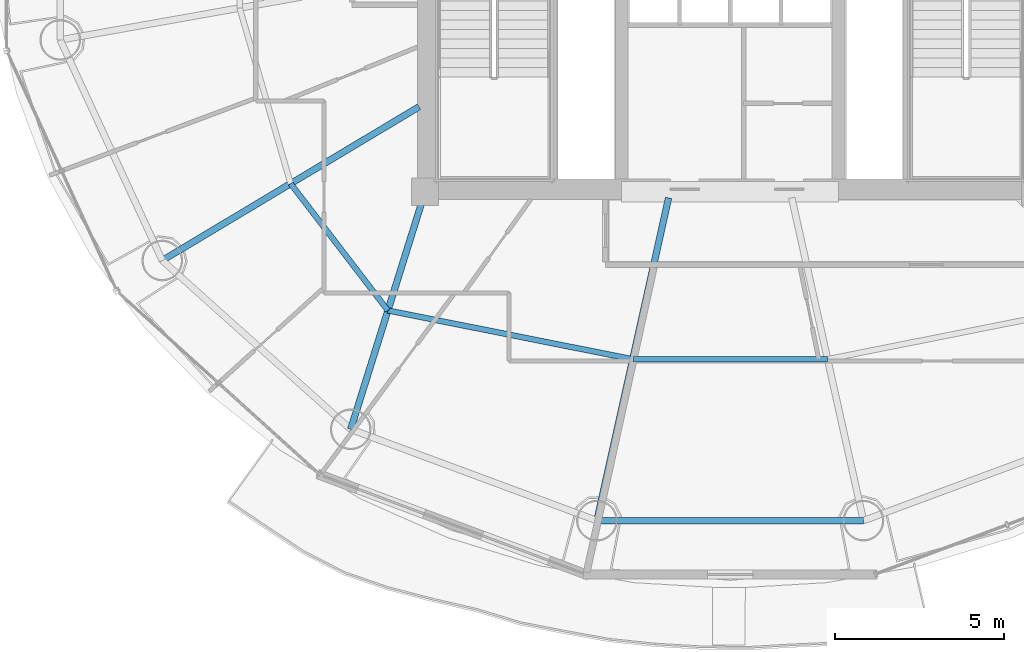
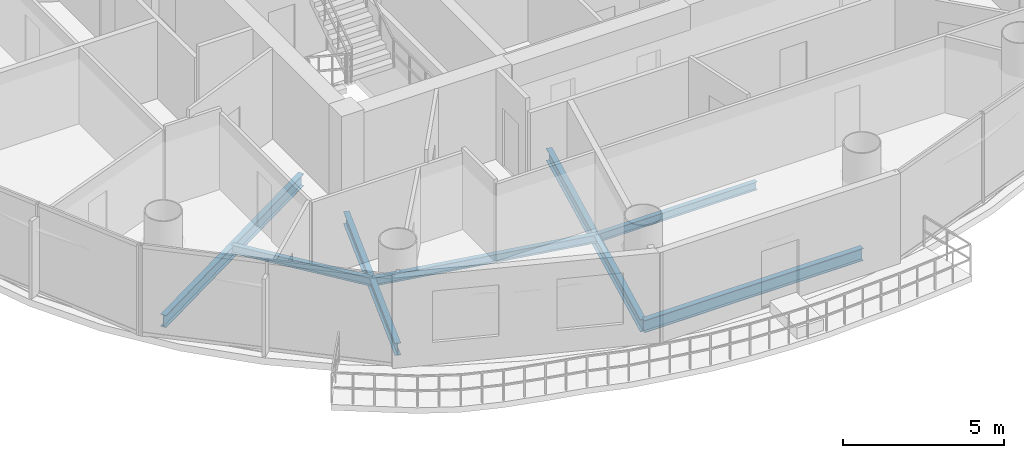
# One storey, part 4 of 26: 7 beams.
"""IFC4 building model written with IfcOpenShell, lengths in metres."""

from ifc_helpers import new_model, si_unit, direction, frame, origin, origin_2d, place, context, subcontext, project, spatial, i_section, extrude, material, material_profile, profile_set, type_object, element, save


model = new_model("IFC4")

# Units and contexts
model_context = context("Model", 3, precision=1e-05, world=origin(), true_north=direction((-0.2419218956, 0.970295726276)))
body_context = subcontext(model_context, "Body", "Model", "MODEL_VIEW")
ifc_project = project(units=[si_unit("LENGTHUNIT", "METRE"), si_unit("AREAUNIT", "SQUARE_METRE"), si_unit("VOLUMEUNIT", "CUBIC_METRE"), si_unit("PLANEANGLEUNIT", "RADIAN"), si_unit("MASSUNIT", "GRAM", prefix="KILO")], contexts=[model_context])

# Site, building, storey
site_placement = place(None, origin())
site = spatial("IfcSite", under=ifc_project, at=site_placement, CompositionType="ELEMENT")
building_placement = place(site_placement, origin())
building = spatial("IfcBuilding", under=site, at=building_placement, Name="Cobrevalo Terracotta Tower", CompositionType="ELEMENT")
storey_placement = place(building_placement, frame((0.0, 0.0, 213.39990234375)))
storey = spatial("IfcBuildingStorey", under=building, at=storey_placement, Name="L56", CompositionType="ELEMENT", Elevation=213.39990234375)

# Beams
ifc_material = material(Name="Steel S355", Category="steel")
ifc_material_profile_1 = material_profile(ifc_material, i_section(OverallWidth=0.194091796875, OverallDepth=0.468994140625, WebThickness=0.011474609375, FlangeThickness=0.0205078125, at=origin_2d()), Name="W 460x106")
ifc_profile_set_1 = profile_set([ifc_material_profile_1], Name="Steel S355")
beam_type_1 = type_object("IfcBeamType", Name="Structural Beam W 460x106 (Steel S355)", PredefinedType="BEAM", material=ifc_profile_set_1)
beam_1_placement = place(storey_placement, frame((21.245849609375, 16.77197265625, -0.49951171875), z_axis=(0.858046392192, 0.513572184651, 0.0), x_axis=(-0.513572184651, 0.858046392192, 0.0)))
element("IfcBeam", 1, at=beam_1_placement, inside=storey, type_object=beam_type_1, Name="L56 radial floor girder 10", PredefinedType="BEAM", context=body_context, shape_type="SweptSolid", body=[
    extrude(i_section(OverallWidth=0.194091796875, OverallDepth=0.468994140625, WebThickness=0.011474609375, FlangeThickness=0.0205078125, at=origin_2d()), origin(), (0.0, 0.0, 1.0), 8.827392578125),
])
beam_2_placement = place(storey_placement, frame((26.80517578125, 11.7919921875, -0.49951171875), z_axis=(0.298871212691, 0.954293454984, 0.0), x_axis=(-0.954293454984, 0.298871212691, 0.0)))
element("IfcBeam", 2, at=beam_2_placement, inside=storey, type_object=beam_type_1, Name="L56 radial floor girder 11", PredefinedType="BEAM", context=body_context, shape_type="SweptSolid", body=[
    extrude(i_section(OverallWidth=0.194091796875, OverallDepth=0.468994140625, WebThickness=0.011474609375, FlangeThickness=0.0205078125, at=origin_2d()), origin(), (0.0, 0.0, 1.0), 7.34375),
])
beam_3_placement = place(storey_placement, frame((34.06884765625, 9.096923828125, -0.49951171875), z_axis=(0.216782061165, 0.976220025382, 0.0), x_axis=(-0.976220025382, 0.216782061165, 0.0)))
element("IfcBeam", 3, at=beam_3_placement, inside=storey, type_object=beam_type_1, Name="L56 radial floor girder 12", PredefinedType="BEAM", context=body_context, shape_type="SweptSolid", body=[
    extrude(i_section(OverallWidth=0.194091796875, OverallDepth=0.468994140625, WebThickness=0.011474609375, FlangeThickness=0.0205078125, at=origin_2d()), origin(), (0.0, 0.0, 1.0), 9.755126953125),
])
ifc_material_profile_2 = material_profile(ifc_material, i_section(OverallWidth=0.1650390625, OverallDepth=0.31005859375, WebThickness=0.005859375, FlangeThickness=0.009765625, at=origin_2d()), Name="W 310x38.7")
ifc_profile_set_2 = profile_set([ifc_material_profile_2], Name="Steel S355")
beam_type_2 = type_object("IfcBeamType", Name="Structural Joist W 310x38.7 (Steel S355)", PredefinedType="JOIST", material=ifc_profile_set_2)
beam_4_placement = place(storey_placement, frame((25.032958984375, 19.03857421875, -0.419921875), z_axis=(0.608464146296, -0.793581364872, 0.0), x_axis=(0.793581364872, 0.608464146296, 0.0)))
element("IfcBeam", 4, at=beam_4_placement, inside=storey, type_object=beam_type_2, Name="L56 circumferential secondary floor joist 10", PredefinedType="JOIST", context=body_context, shape_type="SweptSolid", body=[
    extrude(i_section(OverallWidth=0.1650390625, OverallDepth=0.31005859375, WebThickness=0.005859375, FlangeThickness=0.009765625, at=origin_2d()), origin(), (0.0, 0.0, 1.0), 4.716064453125),
])
beam_5_placement = place(storey_placement, frame((27.902587890625, 15.2958984375, -0.419921875), z_axis=(0.980768907748, -0.195172614871, 0.0), x_axis=(0.195172614871, 0.980768907748, 0.0)))
element("IfcBeam", 5, at=beam_5_placement, inside=storey, type_object=beam_type_2, Name="L56 circumferential secondary floor joist 11", PredefinedType="JOIST", context=body_context, shape_type="SweptSolid", body=[
    extrude(i_section(OverallWidth=0.1650390625, OverallDepth=0.31005859375, WebThickness=0.005859375, FlangeThickness=0.009765625, at=origin_2d()), origin(), (0.0, 0.0, 1.0), 7.365234375),
])
beam_6_placement = place(storey_placement, frame((35.126220703125, 13.8583984375, -0.419921875), z_axis=(1.0, 0.0, 0.0), x_axis=(0.0, 1.0, 0.0)))
element("IfcBeam", 6, at=beam_6_placement, inside=storey, type_object=beam_type_2, Name="L56 circumferential secondary floor joist 12", PredefinedType="JOIST", context=body_context, shape_type="SweptSolid", body=[
    extrude(i_section(OverallWidth=0.1650390625, OverallDepth=0.31005859375, WebThickness=0.005859375, FlangeThickness=0.009765625, at=origin_2d()), origin(), (0.0, 0.0, 1.0), 5.74755859375),
])
ifc_material_profile_3 = material_profile(ifc_material, i_section(OverallWidth=0.194091796875, OverallDepth=0.468994140625, WebThickness=0.011474609375, FlangeThickness=0.0205078125, at=origin_2d()), Name="W 460x106")
ifc_profile_set_3 = profile_set([ifc_material_profile_3], Name="Steel S355")
beam_type_3 = type_object("IfcBeamType", Name="Structural Spandrel W 460x106 (Steel S355)", PredefinedType="SPANDREL", material=ifc_profile_set_3)
beam_7_placement = place(storey_placement, frame((34.06884765625, 9.096923828125, -0.49951171875), z_axis=(1.0, 0.0, 0.0), x_axis=(0.0, 1.0, 0.0)))
element("IfcBeam", 7, at=beam_7_placement, inside=storey, type_object=beam_type_3, Name="L56 perimeter ring spandrel 12", PredefinedType="SPANDREL", context=body_context, shape_type="SweptSolid", body=[
    extrude(i_section(OverallWidth=0.194091796875, OverallDepth=0.468994140625, WebThickness=0.011474609375, FlangeThickness=0.0205078125, at=origin_2d()), origin(), (0.0, 0.0, 1.0), 7.8623046875),
])

save(model, "model.ifc")
